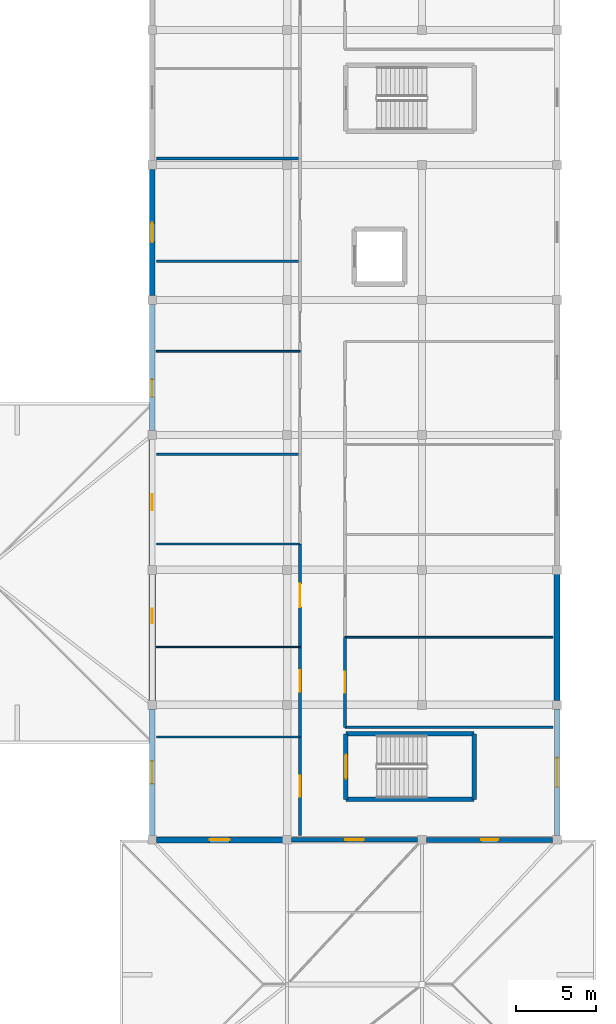
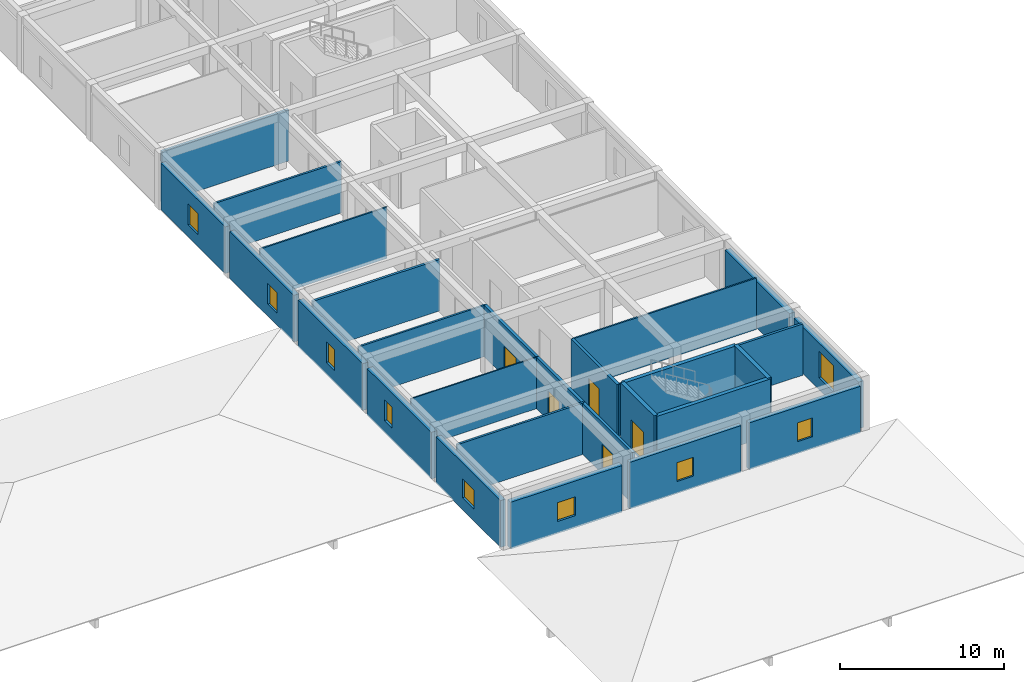
# One storey, part 24 of 42: 27 walls, 9 windows, 5 doors, 14 openings.
"""IFC4 building model written with IfcOpenShell, lengths in metres."""

from ifc_helpers import new_model, si_unit, direction, frame, frame_2d, origin, place, context, subcontext, project, spatial, rectangle, extrude, material, layer, layer_set, type_object, element, fill, save


model = new_model("IFC4")

# Units and contexts
model_context = context("Model", 3, precision=1e-05, world=origin(), true_north=direction((0.0, 1.0)))
body_context = subcontext(model_context, "Body", "Model", "MODEL_VIEW")
ifc_project = project(units=[si_unit("LENGTHUNIT", "METRE"), si_unit("AREAUNIT", "SQUARE_METRE"), si_unit("VOLUMEUNIT", "CUBIC_METRE"), si_unit("PLANEANGLEUNIT", "RADIAN"), si_unit("MASSUNIT", "GRAM", prefix="KILO")], contexts=[model_context])

# Site, building, storey
site_placement = place(None, origin())
site = spatial("IfcSite", under=ifc_project, at=site_placement, CompositionType="ELEMENT")
building_placement = place(site_placement, origin())
building = spatial("IfcBuilding", under=site, at=building_placement, Name="Varncliffe General Hospital", CompositionType="ELEMENT")
storey_placement = place(building_placement, frame((0.0, 0.0, 20.39990234375)))
storey = spatial("IfcBuildingStorey", under=building, at=storey_placement, Name="L04", CompositionType="ELEMENT", Elevation=20.39990234375)

# Wall, opening, window
ifc_material_1 = material(Name="Precast concrete C40/50 with insulated cream lime-cement stucco", Category="concrete")
ifc_layer_1 = layer(ifc_material_1, 0.31005859375)
ifc_layer_set_1 = layer_set([ifc_layer_1], Name="Precast concrete C40/50 with insulated cream lime-cement stucco")
wall_type_1 = type_object("IfcWallType", Name="Exterior Insulated Stucco Wall EW20 (310mm)", PredefinedType="SOLIDWALL", material=ifc_layer_set_1)
wall_1_placement = place(storey_placement, frame((176.126953125, 15.60009765625, 0.0), z_axis=(0.0, 0.0, 1.0), x_axis=(-1.0, 0.0, 0.0)))
wall_1 = element("IfcWall", 1, at=wall_1_placement, inside=storey, type_object=wall_type_1, Name="L04 Exterior Stucco Wall EW20-305", PredefinedType="SOLIDWALL", context=body_context, shape_type="SweptSolid", body=[
    extrude(rectangle(XDim=7.85400390625, YDim=0.31005859375, at=frame_2d((3.927001953125, 0.0))), origin(), (0.0, 0.0, 1.0), 3.47998046875),
])
opening_1_placement = place(wall_1_placement, frame((3.402099609375, 0.0, 0.89990234375)))
opening_1 = element("IfcOpeningElement", 2, at=opening_1_placement, cuts=wall_1, Name="Opening WN68", PredefinedType="OPENING", context=body_context, shape_type="SweptSolid", body=[
    extrude(rectangle(XDim=1.050048828125, YDim=1.39990234375, at=frame_2d((0.52490234375, 0.699951171875))), frame((0.0, 0.1650390625, 0.0), z_axis=(0.0, -1.0, 0.0), x_axis=(1.0, 0.0, 0.0)), (0.0, 0.0, 1.0), 0.330078125),
])
ifc_material_2 = material(Name="Triple low-E argon insulated vision glazing", Category="glass")
window_type_1 = type_object("IfcWindowType", Name="Triple-Glazed Hospital Window WN68 (1050x1400)", PartitioningType="SINGLE_PANEL", PredefinedType="WINDOW", material=ifc_material_2)
window_1_placement = place(opening_1_placement, origin())
window_1 = element("IfcWindow", 3, at=window_1_placement, inside=storey, type_object=window_type_1, Name="L04 Hospital Window WN68-223", OverallHeight=1.39990234375, OverallWidth=1.050048828125, PartitioningType="SINGLE_PANEL", PredefinedType="WINDOW", context=body_context, shape_type="SweptSolid", body=[
    extrude(rectangle(XDim=1.050048828125, YDim=1.39990234375, at=frame_2d((0.52490234375, 0.699951171875))), frame((0.0, 0.030029296875, 0.0), z_axis=(0.0, -1.0, 0.0), x_axis=(1.0, 0.0, 0.0)), (0.0, 0.0, 1.0), 0.06005859375),
])
fill(opening_1, window_1)

ifc_layer_2 = layer(ifc_material_1, 0.3798828125)
ifc_layer_set_2 = layer_set([ifc_layer_2], Name="Precast concrete C40/50 with insulated cream lime-cement stucco")
wall_type_2 = type_object("IfcWallType", Name="Exterior Insulated Stucco Wall EW26 (380mm)", PredefinedType="SOLIDWALL", material=ifc_layer_set_2)
wall_2_placement = place(storey_placement, frame((159.326904296875, 15.60009765625, 0.0), z_axis=(0.0, 0.0, 1.0), x_axis=(-1.0, 0.0, 0.0)))
wall_2 = element("IfcWall", 4, at=wall_2_placement, inside=storey, type_object=wall_type_2, Name="L04 Exterior Stucco Wall EW26-307", PredefinedType="SOLIDWALL", context=body_context, shape_type="SweptSolid", body=[
    extrude(rectangle(XDim=7.85400390625, YDim=0.3798828125, at=frame_2d((3.927001953125, 0.0))), origin(), (0.0, 0.0, 1.0), 3.47998046875),
])
opening_2_placement = place(wall_2_placement, frame((3.302001953125, 0.0, 0.89990234375)))
opening_2 = element("IfcOpeningElement", 5, at=opening_2_placement, cuts=wall_2, Name="Opening WN43", PredefinedType="OPENING", context=body_context, shape_type="SweptSolid", body=[
    extrude(rectangle(XDim=1.25, YDim=1.39990234375, at=frame_2d((0.625, 0.699951171875))), frame((0.0, 0.199951171875, 0.0), z_axis=(0.0, -1.0, 0.0), x_axis=(1.0, 0.0, 0.0)), (0.0, 0.0, 1.0), 0.39990234375),
])
window_type_2 = type_object("IfcWindowType", Name="Triple-Glazed Hospital Window WN43 (1250x1400)", PartitioningType="SINGLE_PANEL", PredefinedType="WINDOW", material=ifc_material_2)
window_2_placement = place(opening_2_placement, origin())
window_2 = element("IfcWindow", 6, at=window_2_placement, inside=storey, type_object=window_type_2, Name="L04 Hospital Window WN43-225", OverallHeight=1.39990234375, OverallWidth=1.25, PartitioningType="SINGLE_PANEL", PredefinedType="WINDOW", context=body_context, shape_type="SweptSolid", body=[
    extrude(rectangle(XDim=1.25, YDim=1.39990234375, at=frame_2d((0.625, 0.699951171875))), frame((0.0, 0.030029296875, 0.0), z_axis=(0.0, -1.0, 0.0), x_axis=(1.0, 0.0, 0.0)), (0.0, 0.0, 1.0), 0.06005859375),
])
fill(opening_2, window_2)

wall_3_placement = place(storey_placement, frame((151.199951171875, 32.673095703125, 0.0), z_axis=(0.0, 0.0, 1.0), x_axis=(0.0, 1.0, 0.0)))
wall_3 = element("IfcWall", 7, at=wall_3_placement, inside=storey, type_object=wall_type_2, Name="L04 Exterior Stucco Wall EW26-310", PredefinedType="SOLIDWALL", context=body_context, shape_type="SweptSolid", body=[
    extrude(rectangle(XDim=7.85400390625, YDim=0.3798828125, at=frame_2d((3.927001953125, 0.0))), origin(), (0.0, 0.0, 1.0), 3.47998046875),
])
opening_3_placement = place(wall_3_placement, frame((3.427001953125, 0.0, 0.89990234375)))
opening_3 = element("IfcOpeningElement", 8, at=opening_3_placement, cuts=wall_3, Name="Opening WN21", PredefinedType="OPENING", context=body_context, shape_type="SweptSolid", body=[
    extrude(rectangle(XDim=1.0, YDim=1.550048828125, at=frame_2d((0.5, 0.77490234375))), frame((0.0, 0.199951171875, 0.0), z_axis=(0.0, -1.0, 0.0), x_axis=(1.0, 0.0, 0.0)), (0.0, 0.0, 1.0), 0.39990234375),
])
window_type_3 = type_object("IfcWindowType", Name="Triple-Glazed Hospital Window WN21 (1000x1550)", PartitioningType="SINGLE_PANEL", PredefinedType="WINDOW", material=ifc_material_2)
window_3_placement = place(opening_3_placement, origin())
window_3 = element("IfcWindow", 9, at=window_3_placement, inside=storey, type_object=window_type_3, Name="L04 Hospital Window WN21-228", OverallHeight=1.550048828125, OverallWidth=1.0, PartitioningType="SINGLE_PANEL", PredefinedType="WINDOW", context=body_context, shape_type="SweptSolid", body=[
    extrude(rectangle(XDim=1.0, YDim=1.550048828125, at=frame_2d((0.5, 0.77490234375))), frame((0.0, 0.030029296875, 0.0), z_axis=(0.0, -1.0, 0.0), x_axis=(1.0, 0.0, 0.0)), (0.0, 0.0, 1.0), 0.06005859375),
])
fill(opening_3, window_3)

# Wall
wall_4_placement = place(storey_placement, frame((176.39990234375, 32.126953125, 0.0), z_axis=(0.0, 0.0, 1.0), x_axis=(0.0, -1.0, 0.0)))
element("IfcWall", 10, at=wall_4_placement, inside=storey, type_object=wall_type_2, Name="L04 Exterior Stucco Wall EW26-387", PredefinedType="SOLIDWALL", context=body_context, shape_type="SweptSolid", body=[
    extrude(rectangle(XDim=7.85400390625, YDim=0.3798828125, at=frame_2d((3.927001953125, 0.0))), origin(), (0.0, 0.0, 1.0), 3.47998046875),
])

# Wall, opening, window
ifc_layer_3 = layer(ifc_material_1, 0.2900390625)
ifc_layer_set_3 = layer_set([ifc_layer_3], Name="Precast concrete C40/50 with insulated cream lime-cement stucco")
wall_type_3 = type_object("IfcWallType", Name="Exterior Insulated Stucco Wall EW31 (290mm)", PredefinedType="SOLIDWALL", material=ifc_layer_set_3)
wall_5_placement = place(storey_placement, frame((167.72705078125, 15.60009765625, 0.0), z_axis=(0.0, 0.0, 1.0), x_axis=(-1.0, 0.0, 0.0)))
wall_5 = element("IfcWall", 11, at=wall_5_placement, inside=storey, type_object=wall_type_3, Name="L04 Exterior Stucco Wall EW31-306", PredefinedType="SOLIDWALL", context=body_context, shape_type="SweptSolid", body=[
    extrude(rectangle(XDim=7.85400390625, YDim=0.2900390625, at=frame_2d((3.927001953125, 0.0))), origin(), (0.0, 0.0, 1.0), 3.47998046875),
])
opening_4_placement = place(wall_5_placement, frame((3.35205078125, 0.0, 0.89990234375)))
opening_4 = element("IfcOpeningElement", 12, at=opening_4_placement, cuts=wall_5, Name="Opening WN62", PredefinedType="OPENING", context=body_context, shape_type="SweptSolid", body=[
    extrude(rectangle(XDim=1.14990234375, YDim=1.39990234375, at=frame_2d((0.574951171875, 0.699951171875))), frame((0.0, 0.155029296875, 0.0), z_axis=(0.0, -1.0, 0.0), x_axis=(1.0, 0.0, 0.0)), (0.0, 0.0, 1.0), 0.31005859375),
])
window_type_4 = type_object("IfcWindowType", Name="Triple-Glazed Hospital Window WN62 (1150x1400)", PartitioningType="SINGLE_PANEL", PredefinedType="WINDOW", material=ifc_material_2)
window_4_placement = place(opening_4_placement, origin())
window_4 = element("IfcWindow", 13, at=window_4_placement, inside=storey, type_object=window_type_4, Name="L04 Hospital Window WN62-224", OverallHeight=1.39990234375, OverallWidth=1.14990234375, PartitioningType="SINGLE_PANEL", PredefinedType="WINDOW", context=body_context, shape_type="SweptSolid", body=[
    extrude(rectangle(XDim=1.14990234375, YDim=1.39990234375, at=frame_2d((0.574951171875, 0.699951171875))), frame((0.0, 0.030029296875, 0.0), z_axis=(0.0, -1.0, 0.0), x_axis=(1.0, 0.0, 0.0)), (0.0, 0.0, 1.0), 0.06005859375),
])
fill(opening_4, window_4)

ifc_layer_4 = layer(ifc_material_1, 0.330078125)
ifc_layer_set_4 = layer_set([ifc_layer_4], Name="Precast concrete C40/50 with insulated cream lime-cement stucco")
wall_type_4 = type_object("IfcWallType", Name="Exterior Insulated Stucco Wall EW33 (330mm)", PredefinedType="SOLIDWALL", material=ifc_layer_set_4)
wall_6_placement = place(storey_placement, frame((151.199951171875, 49.472900390625, 0.0), z_axis=(0.0, 0.0, 1.0), x_axis=(0.0, 1.0, 0.0)))
wall_6 = element("IfcWall", 14, at=wall_6_placement, inside=storey, type_object=wall_type_4, Name="L04 Exterior Stucco Wall EW33-312", PredefinedType="SOLIDWALL", context=body_context, shape_type="SweptSolid", body=[
    extrude(rectangle(XDim=7.85400390625, YDim=0.330078125, at=frame_2d((3.927001953125, 0.0))), origin(), (0.0, 0.0, 1.0), 3.47998046875),
])
opening_5_placement = place(wall_6_placement, frame((3.326904296875, 0.0, 0.89990234375)))
opening_5 = element("IfcOpeningElement", 15, at=opening_5_placement, cuts=wall_6, Name="Opening WN33", PredefinedType="OPENING", context=body_context, shape_type="SweptSolid", body=[
    extrude(rectangle(XDim=1.199951171875, YDim=1.550048828125, at=frame_2d((0.60009765625, 0.77490234375))), frame((0.0, 0.175048828125, 0.0), z_axis=(0.0, -1.0, 0.0), x_axis=(1.0, 0.0, 0.0)), (0.0, 0.0, 1.0), 0.35009765625),
])
window_type_5 = type_object("IfcWindowType", Name="Triple-Glazed Hospital Window WN33 (1200x1550)", PartitioningType="SINGLE_PANEL", PredefinedType="WINDOW", material=ifc_material_2)
window_5_placement = place(opening_5_placement, origin())
window_5 = element("IfcWindow", 16, at=window_5_placement, inside=storey, type_object=window_type_5, Name="L04 Hospital Window WN33-230", OverallHeight=1.550048828125, OverallWidth=1.199951171875, PartitioningType="SINGLE_PANEL", PredefinedType="WINDOW", context=body_context, shape_type="SweptSolid", body=[
    extrude(rectangle(XDim=1.199951171875, YDim=1.550048828125, at=frame_2d((0.60009765625, 0.77490234375))), frame((0.0, 0.030029296875, 0.0), z_axis=(0.0, -1.0, 0.0), x_axis=(1.0, 0.0, 0.0)), (0.0, 0.0, 1.0), 0.06005859375),
])
fill(opening_5, window_5)

ifc_layer_5 = layer(ifc_material_1, 0.35009765625)
ifc_layer_set_5 = layer_set([ifc_layer_5], Name="Precast concrete C40/50 with insulated cream lime-cement stucco")
wall_type_5 = type_object("IfcWallType", Name="Exterior Insulated Stucco Wall EW37 (350mm)", PredefinedType="SOLIDWALL", material=ifc_layer_set_5)
wall_7_placement = place(storey_placement, frame((151.199951171875, 15.873046875, 0.0), z_axis=(0.0, 0.0, 1.0), x_axis=(0.0, 1.0, 0.0)))
wall_7 = element("IfcWall", 17, at=wall_7_placement, inside=storey, type_object=wall_type_5, Name="L04 Exterior Stucco Wall EW37-308", PredefinedType="SOLIDWALL", context=body_context, shape_type="SweptSolid", body=[
    extrude(rectangle(XDim=7.85400390625, YDim=0.35009765625, at=frame_2d((3.927001953125, 0.0))), origin(), (0.0, 0.0, 1.0), 3.47998046875),
])
opening_6_placement = place(wall_7_placement, frame((3.22705078125, 0.0, 0.89990234375)))
opening_6 = element("IfcOpeningElement", 18, at=opening_6_placement, cuts=wall_7, Name="Opening WN76", PredefinedType="OPENING", context=body_context, shape_type="SweptSolid", body=[
    extrude(rectangle(XDim=1.39990234375, YDim=1.39990234375, at=frame_2d((0.699951171875, 0.699951171875))), frame((0.0, 0.18505859375, 0.0), z_axis=(0.0, -1.0, 0.0), x_axis=(1.0, 0.0, 0.0)), (0.0, 0.0, 1.0), 0.3701171875),
])
window_type_6 = type_object("IfcWindowType", Name="Triple-Glazed Hospital Window WN76 (1400x1400)", PartitioningType="SINGLE_PANEL", PredefinedType="WINDOW", material=ifc_material_2)
window_6_placement = place(opening_6_placement, origin())
window_6 = element("IfcWindow", 19, at=window_6_placement, inside=storey, type_object=window_type_6, Name="L04 Hospital Window WN76-226", OverallHeight=1.39990234375, OverallWidth=1.39990234375, PartitioningType="SINGLE_PANEL", PredefinedType="WINDOW", context=body_context, shape_type="SweptSolid", body=[
    extrude(rectangle(XDim=1.39990234375, YDim=1.39990234375, at=frame_2d((0.699951171875, 0.699951171875))), frame((0.0, 0.030029296875, 0.0), z_axis=(0.0, -1.0, 0.0), x_axis=(1.0, 0.0, 0.0)), (0.0, 0.0, 1.0), 0.06005859375),
])
fill(opening_6, window_6)

wall_8_placement = place(storey_placement, frame((151.199951171875, 41.072998046875, 0.0), z_axis=(0.0, 0.0, 1.0), x_axis=(0.0, 1.0, 0.0)))
wall_8 = element("IfcWall", 20, at=wall_8_placement, inside=storey, type_object=wall_type_5, Name="L04 Exterior Stucco Wall EW37-311", PredefinedType="SOLIDWALL", context=body_context, shape_type="SweptSolid", body=[
    extrude(rectangle(XDim=7.85400390625, YDim=0.35009765625, at=frame_2d((3.927001953125, 0.0))), origin(), (0.0, 0.0, 1.0), 3.47998046875),
])
opening_7_placement = place(wall_8_placement, frame((2.089111328125, 0.0, 0.89990234375)))
opening_7 = element("IfcOpeningElement", 21, at=opening_7_placement, cuts=wall_8, Name="Opening WN69", PredefinedType="OPENING", context=body_context, shape_type="SweptSolid", body=[
    extrude(rectangle(XDim=1.10009765625, YDim=1.550048828125, at=frame_2d((0.550048828125, 0.77490234375))), frame((0.0, 0.18505859375, 0.0), z_axis=(0.0, -1.0, 0.0), x_axis=(1.0, 0.0, 0.0)), (0.0, 0.0, 1.0), 0.3701171875),
])
window_type_7 = type_object("IfcWindowType", Name="Triple-Glazed Hospital Window WN69 (1100x1550)", PartitioningType="SINGLE_PANEL", PredefinedType="WINDOW", material=ifc_material_2)
window_7_placement = place(opening_7_placement, origin())
window_7 = element("IfcWindow", 22, at=window_7_placement, inside=storey, type_object=window_type_7, Name="L04 Hospital Window WN69-229", OverallHeight=1.550048828125, OverallWidth=1.10009765625, PartitioningType="SINGLE_PANEL", PredefinedType="WINDOW", context=body_context, shape_type="SweptSolid", body=[
    extrude(rectangle(XDim=1.10009765625, YDim=1.550048828125, at=frame_2d((0.550048828125, 0.77490234375))), frame((0.0, 0.030029296875, 0.0), z_axis=(0.0, -1.0, 0.0), x_axis=(1.0, 0.0, 0.0)), (0.0, 0.0, 1.0), 0.06005859375),
])
fill(opening_7, window_7)

wall_9_placement = place(storey_placement, frame((176.39990234375, 23.72705078125, 0.0), z_axis=(0.0, 0.0, 1.0), x_axis=(0.0, -1.0, 0.0)))
wall_9 = element("IfcWall", 23, at=wall_9_placement, inside=storey, type_object=wall_type_5, Name="L04 Exterior Stucco Wall EW37-388", PredefinedType="SOLIDWALL", context=body_context, shape_type="SweptSolid", body=[
    extrude(rectangle(XDim=7.85400390625, YDim=0.35009765625, at=frame_2d((3.927001953125, 0.0))), origin(), (0.0, 0.0, 1.0), 3.47998046875),
])
opening_8_placement = place(wall_9_placement, frame((3.027099609375, 0.0, 0.89990234375)))
opening_8 = element("IfcOpeningElement", 24, at=opening_8_placement, cuts=wall_9, Name="Opening WN78", PredefinedType="OPENING", context=body_context, shape_type="SweptSolid", body=[
    extrude(rectangle(XDim=1.800048828125, YDim=1.949951171875, at=frame_2d((0.89990234375, 0.97509765625))), frame((0.0, 0.18505859375, 0.0), z_axis=(0.0, -1.0, 0.0), x_axis=(1.0, 0.0, 0.0)), (0.0, 0.0, 1.0), 0.3701171875),
])
window_type_8 = type_object("IfcWindowType", Name="Triple-Glazed Hospital Window WN78 (1800x1950)", PartitioningType="DOUBLE_PANEL_VERTICAL", PredefinedType="WINDOW", material=ifc_material_2)
window_8_placement = place(opening_8_placement, origin())
window_8 = element("IfcWindow", 25, at=window_8_placement, inside=storey, type_object=window_type_8, Name="L04 Hospital Window WN78-292", OverallHeight=1.949951171875, OverallWidth=1.800048828125, PartitioningType="DOUBLE_PANEL_VERTICAL", PredefinedType="WINDOW", context=body_context, shape_type="SweptSolid", body=[
    extrude(rectangle(XDim=1.800048828125, YDim=1.949951171875, at=frame_2d((0.89990234375, 0.97509765625))), frame((0.0, 0.030029296875, 0.0), z_axis=(0.0, -1.0, 0.0), x_axis=(1.0, 0.0, 0.0)), (0.0, 0.0, 1.0), 0.06005859375),
])
fill(opening_8, window_8)

ifc_layer_6 = layer(ifc_material_1, 0.39990234375)
ifc_layer_set_6 = layer_set([ifc_layer_6], Name="Precast concrete C40/50 with insulated cream lime-cement stucco")
wall_type_6 = type_object("IfcWallType", Name="Exterior Insulated Stucco Wall EW47 (400mm)", PredefinedType="SOLIDWALL", material=ifc_layer_set_6)
wall_10_placement = place(storey_placement, frame((151.199951171875, 24.27294921875, 0.0), z_axis=(0.0, 0.0, 1.0), x_axis=(0.0, 1.0, 0.0)))
wall_10 = element("IfcWall", 26, at=wall_10_placement, inside=storey, type_object=wall_type_6, Name="L04 Exterior Stucco Wall EW47-309", PredefinedType="SOLIDWALL", context=body_context, shape_type="SweptSolid", body=[
    extrude(rectangle(XDim=7.85400390625, YDim=0.39990234375, at=frame_2d((3.927001953125, 0.0))), origin(), (0.0, 0.0, 1.0), 3.47998046875),
])
opening_9_placement = place(wall_10_placement, frame((4.808837890625, 0.0, 0.89990234375)))
opening_9 = element("IfcOpeningElement", 27, at=opening_9_placement, cuts=wall_10, Name="Opening WN45", PredefinedType="OPENING", context=body_context, shape_type="SweptSolid", body=[
    extrude(rectangle(XDim=0.89990234375, YDim=1.550048828125, at=frame_2d((0.449951171875, 0.77490234375))), frame((0.0, 0.2099609375, 0.0), z_axis=(0.0, -1.0, 0.0), x_axis=(1.0, 0.0, 0.0)), (0.0, 0.0, 1.0), 0.419921875),
])
window_type_9 = type_object("IfcWindowType", Name="Triple-Glazed Hospital Window WN45 (900x1550)", PartitioningType="SINGLE_PANEL", PredefinedType="WINDOW", material=ifc_material_2)
window_9_placement = place(opening_9_placement, origin())
window_9 = element("IfcWindow", 28, at=window_9_placement, inside=storey, type_object=window_type_9, Name="L04 Hospital Window WN45-227", OverallHeight=1.550048828125, OverallWidth=0.89990234375, PartitioningType="SINGLE_PANEL", PredefinedType="WINDOW", context=body_context, shape_type="SweptSolid", body=[
    extrude(rectangle(XDim=0.89990234375, YDim=1.550048828125, at=frame_2d((0.449951171875, 0.77490234375))), frame((0.0, 0.030029296875, 0.0), z_axis=(0.0, -1.0, 0.0), x_axis=(1.0, 0.0, 0.0)), (0.0, 0.0, 1.0), 0.06005859375),
])
fill(opening_9, window_9)

# Walls
ifc_material_3 = material(Name="Acoustic clinical gypsum stud partition assembly", Category="gypsum")
ifc_layer_7 = layer(ifc_material_3, 0.1298828125)
ifc_layer_set_7 = layer_set([ifc_layer_7], Name="Acoustic clinical gypsum stud partition assembly")
wall_type_7 = type_object("IfcWallType", Name="Interior Partitioning IW11 (130mm)", PredefinedType="PARTITIONING", material=ifc_layer_set_7)
wall_11_placement = place(storey_placement, frame((151.4599609375, 34.0, 0.0), z_axis=(0.0, 0.0, 1.0), x_axis=(1.0, 0.0, 0.0)))
element("IfcWall", 29, at=wall_11_placement, inside=storey, type_object=wall_type_7, Name="L04 Interior Partition Wall IW11-1678", PredefinedType="PARTITIONING", context=body_context, shape_type="SweptSolid", body=[
    extrude(rectangle(XDim=8.93994140625, YDim=0.1298828125, at=frame_2d((4.469970703125, 0.0))), origin(), (0.0, 0.0, 1.0), 3.820068359375),
])
ifc_layer_8 = layer(ifc_material_3, 0.169921875)
ifc_layer_set_8 = layer_set([ifc_layer_8], Name="Acoustic clinical gypsum stud partition assembly")
wall_type_8 = type_object("IfcWallType", Name="Interior Partitioning IW20 (170mm)", PredefinedType="PARTITIONING", material=ifc_layer_set_8)
wall_12_placement = place(storey_placement, frame((163.199951171875, 22.60009765625, 0.0), z_axis=(0.0, 0.0, 1.0), x_axis=(1.0, 0.0, 0.0)))
element("IfcWall", 30, at=wall_12_placement, inside=storey, type_object=wall_type_8, Name="L04 Interior Partition Wall IW20-1675", PredefinedType="PARTITIONING", context=body_context, shape_type="SweptSolid", body=[
    extrude(rectangle(XDim=12.93994140625, YDim=0.169921875, at=frame_2d((6.469970703125, 0.0))), origin(), (0.0, 0.0, 1.0), 3.820068359375),
])
for number, where, z_axis, x_axis, name in (
    (31, (151.4599609375, 39.60009765625, 0.0), (0.0, 0.0, 1.0), (1.0, 0.0, 0.0), "L04 Interior Partition Wall IW20-1680"),
    (32, (151.4599609375, 58.0, 0.0), (0.0, 0.0, 1.0), (1.0, 0.0, 0.0), "L04 Interior Partition Wall IW20-1685"),
):
    element("IfcWall", number, at=place(storey_placement, frame(where, z_axis=z_axis, x_axis=x_axis)), inside=storey, type_object=wall_type_8, Name=name, PredefinedType="PARTITIONING", context=body_context, shape_type="SweptSolid", body=[
        extrude(rectangle(XDim=8.93994140625, YDim=0.169921875, at=frame_2d((4.469970703125, 0.0))), origin(), (0.0, 0.0, 1.0), 3.820068359375),
    ])
ifc_layer_9 = layer(ifc_material_3, 0.14990234375)
ifc_layer_set_9 = layer_set([ifc_layer_9], Name="Acoustic clinical gypsum stud partition assembly")
wall_type_9 = type_object("IfcWallType", Name="Interior Partitioning IW35 (150mm)", PredefinedType="PARTITIONING", material=ifc_layer_set_9)
for number, where, z_axis, x_axis, name in (
    (33, (151.4599609375, 22.0, 0.0), (0.0, 0.0, 1.0), (1.0, 0.0, 0.0), "L04 Interior Partition Wall IW35-1674"),
    (34, (151.4599609375, 51.60009765625, 0.0), (0.0, 0.0, 1.0), (1.0, 0.0, 0.0), "L04 Interior Partition Wall IW35-1684"),
):
    element("IfcWall", number, at=place(storey_placement, frame(where, z_axis=z_axis, x_axis=x_axis)), inside=storey, type_object=wall_type_9, Name=name, PredefinedType="PARTITIONING", context=body_context, shape_type="SweptSolid", body=[
        extrude(rectangle(XDim=8.93994140625, YDim=0.14990234375, at=frame_2d((4.469970703125, 0.0))), origin(), (0.0, 0.0, 1.0), 3.820068359375),
    ])
ifc_layer_10 = layer(ifc_material_3, 0.090087890625)
ifc_layer_set_10 = layer_set([ifc_layer_10], Name="Acoustic clinical gypsum stud partition assembly")
wall_type_10 = type_object("IfcWallType", Name="Interior Partitioning IW42 (90mm)", PredefinedType="PARTITIONING", material=ifc_layer_set_10)
wall_13_placement = place(storey_placement, frame((151.4599609375, 27.60009765625, 0.0), z_axis=(0.0, 0.0, 1.0), x_axis=(1.0, 0.0, 0.0)))
element("IfcWall", 35, at=wall_13_placement, inside=storey, type_object=wall_type_10, Name="L04 Interior Partition Wall IW42-1676", PredefinedType="PARTITIONING", context=body_context, shape_type="SweptSolid", body=[
    extrude(rectangle(XDim=8.93994140625, YDim=0.090087890625, at=frame_2d((4.469970703125, 0.0))), origin(), (0.0, 0.0, 1.0), 3.820068359375),
])
ifc_layer_11 = layer(ifc_material_3, 0.110107421875)
ifc_layer_set_11 = layer_set([ifc_layer_11], Name="Acoustic clinical gypsum stud partition assembly")
wall_type_11 = type_object("IfcWallType", Name="Interior Partitioning IW65 (110mm)", PredefinedType="PARTITIONING", material=ifc_layer_set_11)
wall_14_placement = place(storey_placement, frame((163.199951171875, 28.199951171875, 0.0), z_axis=(0.0, 0.0, 1.0), x_axis=(1.0, 0.0, 0.0)))
element("IfcWall", 36, at=wall_14_placement, inside=storey, type_object=wall_type_11, Name="L04 Interior Partition Wall IW65-1677", PredefinedType="PARTITIONING", context=body_context, shape_type="SweptSolid", body=[
    extrude(rectangle(XDim=12.93994140625, YDim=0.110107421875, at=frame_2d((6.469970703125, 0.0))), origin(), (0.0, 0.0, 1.0), 3.820068359375),
])
wall_15_placement = place(storey_placement, frame((151.4599609375, 46.0, 0.0), z_axis=(0.0, 0.0, 1.0), x_axis=(1.0, 0.0, 0.0)))
element("IfcWall", 37, at=wall_15_placement, inside=storey, type_object=wall_type_11, Name="L04 Interior Partition Wall IW65-1682", PredefinedType="PARTITIONING", context=body_context, shape_type="SweptSolid", body=[
    extrude(rectangle(XDim=8.93994140625, YDim=0.110107421875, at=frame_2d((4.469970703125, 0.0))), origin(), (0.0, 0.0, 1.0), 3.820068359375),
])

# Wall, opening, door
ifc_material_4 = material(Name="Fire-rated gypsum and mineral-wool partition assembly", Category="gypsum")
ifc_layer_12 = layer(ifc_material_4, 0.199951171875)
ifc_layer_set_12 = layer_set([ifc_layer_12], Name="Fire-rated gypsum and mineral-wool partition assembly")
wall_type_12 = type_object("IfcWallType", Name="Interior Partitioning PW63 (200mm)", PredefinedType="PARTITIONING", material=ifc_layer_set_12)
wall_16_placement = place(storey_placement, frame((160.39990234375, 15.860107421875, 0.0), z_axis=(0.0, 0.0, 1.0), x_axis=(0.0, 1.0, 0.0)))
wall_16 = element("IfcWall", 38, at=wall_16_placement, inside=storey, type_object=wall_type_12, Name="L04 Interior Partition Wall PW63-1973", PredefinedType="PARTITIONING", context=body_context, shape_type="SweptSolid", body=[
    extrude(rectangle(XDim=6.139892578125, YDim=0.199951171875, at=frame_2d((3.06982421875, 0.0))), origin(), (0.0, 0.0, 1.0), 3.820068359375),
])
opening_10_placement = place(wall_16_placement, frame((2.419921875, 0.0, 0.0)))
opening_10 = element("IfcOpeningElement", 39, at=opening_10_placement, cuts=wall_16, Name="Opening DC88", PredefinedType="OPENING", context=body_context, shape_type="SweptSolid", body=[
    extrude(rectangle(XDim=1.300048828125, YDim=2.199951171875, at=frame_2d((0.64990234375, 1.10009765625))), frame((0.0, 0.10986328125, 0.0), z_axis=(0.0, -1.0, 0.0), x_axis=(1.0, 0.0, 0.0)), (0.0, 0.0, 1.0), 0.219970703125),
])
ifc_material_5 = material(Name="Fire-rated hospital steel-frame vision-panel door", Category="steel")
door_type_1 = type_object("IfcDoorType", Name="Interior Hospital Door DC88 (1300x2200)", OperationType="NOTDEFINED", PredefinedType="DOOR", material=ifc_material_5)
door_1_placement = place(opening_10_placement, origin())
door_1 = element("IfcDoor", 40, at=door_1_placement, inside=storey, type_object=door_type_1, Name="L04 Cardiology Diagnostics and Stress Echo Clinic 61 Door", OperationType="SINGLE_SWING_RIGHT", OverallHeight=2.199951171875, OverallWidth=1.300048828125, PredefinedType="DOOR", context=body_context, shape_type="SweptSolid", body=[
    extrude(rectangle(XDim=1.300048828125, YDim=2.199951171875, at=frame_2d((0.64990234375, 1.10009765625))), frame((0.0, 0.02490234375, 0.0), z_axis=(0.0, -1.0, 0.0), x_axis=(1.0, 0.0, 0.0)), (0.0, 0.0, 1.0), 0.050048828125),
])
fill(opening_10, door_1)

wall_17_placement = place(storey_placement, frame((160.39990234375, 22.0, 0.0), z_axis=(0.0, 0.0, 1.0), x_axis=(0.0, 1.0, 0.0)))
wall_17 = element("IfcWall", 41, at=wall_17_placement, inside=storey, type_object=wall_type_12, Name="L04 Interior Partition Wall PW63-1974", PredefinedType="PARTITIONING", context=body_context, shape_type="SweptSolid", body=[
    extrude(rectangle(XDim=5.60009765625, YDim=0.199951171875, at=frame_2d((2.800048828125, 0.0))), origin(), (0.0, 0.0, 1.0), 3.820068359375),
])
opening_11_placement = place(wall_17_placement, frame((2.8037109375, 0.0, 0.0)))
opening_11 = element("IfcOpeningElement", 42, at=opening_11_placement, cuts=wall_17, Name="Opening DC85", PredefinedType="OPENING", context=body_context, shape_type="SweptSolid", body=[
    extrude(rectangle(XDim=1.35009765625, YDim=2.199951171875, at=frame_2d((0.675048828125, 1.10009765625))), frame((0.0, 0.10986328125, 0.0), z_axis=(0.0, -1.0, 0.0), x_axis=(1.0, 0.0, 0.0)), (0.0, 0.0, 1.0), 0.219970703125),
])
door_type_2 = type_object("IfcDoorType", Name="Interior Hospital Door DC85 (1350x2200)", OperationType="NOTDEFINED", PredefinedType="DOOR", material=ifc_material_5)
door_2_placement = place(opening_11_placement, origin())
door_2 = element("IfcDoor", 43, at=door_2_placement, inside=storey, type_object=door_type_2, Name="L04 Neurology Outpatient Consultation Room 62 Door", OperationType="SINGLE_SWING_LEFT", OverallHeight=2.199951171875, OverallWidth=1.35009765625, PredefinedType="DOOR", context=body_context, shape_type="SweptSolid", body=[
    extrude(rectangle(XDim=1.35009765625, YDim=2.199951171875, at=frame_2d((0.675048828125, 1.10009765625))), frame((0.0, 0.02490234375, 0.0), z_axis=(0.0, -1.0, 0.0), x_axis=(1.0, 0.0, 0.0)), (0.0, 0.0, 1.0), 0.050048828125),
])
fill(opening_11, door_2)

wall_18_placement = place(storey_placement, frame((160.39990234375, 27.60009765625, 0.0), z_axis=(0.0, 0.0, 1.0), x_axis=(0.0, 1.0, 0.0)))
wall_18 = element("IfcWall", 44, at=wall_18_placement, inside=storey, type_object=wall_type_12, Name="L04 Interior Partition Wall PW63-1975", PredefinedType="PARTITIONING", context=body_context, shape_type="SweptSolid", body=[
    extrude(rectangle(XDim=6.39990234375, YDim=0.199951171875, at=frame_2d((3.199951171875, 0.0))), origin(), (0.0, 0.0, 1.0), 3.820068359375),
])
opening_12_placement = place(wall_18_placement, frame((2.47509765625, 0.0, 0.0)))
opening_12 = element("IfcOpeningElement", 45, at=opening_12_placement, cuts=wall_18, Name="Opening DC66", PredefinedType="OPENING", context=body_context, shape_type="SweptSolid", body=[
    extrude(rectangle(XDim=1.449951171875, YDim=2.25, at=frame_2d((0.72509765625, 1.125))), frame((0.0, 0.10986328125, 0.0), z_axis=(0.0, -1.0, 0.0), x_axis=(1.0, 0.0, 0.0)), (0.0, 0.0, 1.0), 0.219970703125),
])
door_type_3 = type_object("IfcDoorType", Name="Interior Hospital Door DC66 (1450x2250)", OperationType="NOTDEFINED", PredefinedType="DOOR", material=ifc_material_5)
door_3_placement = place(opening_12_placement, origin())
door_3 = element("IfcDoor", 46, at=door_3_placement, inside=storey, type_object=door_type_3, Name="L04 Cardiology Diagnostics and Stress Echo Clinic 63 Door", OperationType="SINGLE_SWING_RIGHT", OverallHeight=2.25, OverallWidth=1.449951171875, PredefinedType="DOOR", context=body_context, shape_type="SweptSolid", body=[
    extrude(rectangle(XDim=1.449951171875, YDim=2.25, at=frame_2d((0.72509765625, 1.125))), frame((0.0, 0.02490234375, 0.0), z_axis=(0.0, -1.0, 0.0), x_axis=(1.0, 0.0, 0.0)), (0.0, 0.0, 1.0), 0.050048828125),
])
fill(opening_12, door_3)

wall_19_placement = place(storey_placement, frame((163.199951171875, 22.60009765625, 0.0), z_axis=(0.0, 0.0, 1.0), x_axis=(0.0, 1.0, 0.0)))
wall_19 = element("IfcWall", 47, at=wall_19_placement, inside=storey, type_object=wall_type_12, Name="L04 Interior Partition Wall PW63-1987", PredefinedType="PARTITIONING", context=body_context, shape_type="SweptSolid", body=[
    extrude(rectangle(XDim=5.599853515625, YDim=0.199951171875, at=frame_2d((2.7998046875, 0.0))), origin(), (0.0, 0.0, 1.0), 3.820068359375),
])
opening_13_placement = place(wall_19_placement, frame((2.14990234375, 0.0, 0.0)))
opening_13 = element("IfcOpeningElement", 48, at=opening_13_placement, cuts=wall_19, Name="Opening DC88", PredefinedType="OPENING", context=body_context, shape_type="SweptSolid", body=[
    extrude(rectangle(XDim=1.300048828125, YDim=2.199951171875, at=frame_2d((0.64990234375, 1.10009765625))), frame((0.0, 0.10986328125, 0.0), z_axis=(0.0, -1.0, 0.0), x_axis=(1.0, 0.0, 0.0)), (0.0, 0.0, 1.0), 0.219970703125),
])
door_4_placement = place(opening_13_placement, frame((1.300048828125, 0.0, 0.0), z_axis=(0.0, 0.0, 1.0), x_axis=(-1.0, 0.0, 0.0)))
door_4 = element("IfcDoor", 49, at=door_4_placement, inside=storey, type_object=door_type_1, Name="L04 Neurology Outpatient Consultation Room 72 Door", OperationType="SINGLE_SWING_RIGHT", OverallHeight=2.199951171875, OverallWidth=1.300048828125, PredefinedType="DOOR", context=body_context, shape_type="SweptSolid", body=[
    extrude(rectangle(XDim=1.300048828125, YDim=2.199951171875, at=frame_2d((0.64990234375, 1.10009765625))), frame((0.0, 0.02490234375, 0.0), z_axis=(0.0, -1.0, 0.0), x_axis=(1.0, 0.0, 0.0)), (0.0, 0.0, 1.0), 0.050048828125),
])
fill(opening_13, door_4)

# Walls
ifc_material_6 = material(Name="Concrete C40/50 (CSA A23.1 40 MPa)", Category="concrete")
ifc_layer_13 = layer(ifc_material_6, 0.280029296875)
ifc_layer_set_13 = layer_set([ifc_layer_13], Name="Concrete C40/50 (CSA A23.1 40 MPa)")
wall_type_13 = type_object("IfcWallType", Name="Reinforced Concrete Core Shear Wall CW13 (280mm)", PredefinedType="SHEAR", material=ifc_layer_set_13)
wall_20_placement = place(storey_placement, frame((163.260009765625, 18.110107421875, 0.0), z_axis=(0.0, 0.0, 1.0), x_axis=(1.0, 0.0, 0.0)))
element("IfcWall", 50, at=wall_20_placement, inside=storey, type_object=wall_type_13, Name="L04 ST11 Core Shear Wall L", PredefinedType="SHEAR", context=body_context, shape_type="SweptSolid", body=[
    extrude(rectangle(XDim=7.97998046875, YDim=0.280029296875, at=frame_2d((3.989990234375, 0.0))), origin(), (0.0, 0.0, 1.0), 4.2001953125),
])
wall_21_placement = place(storey_placement, frame((171.239990234375, 18.110107421875, 0.0), z_axis=(0.0, 0.0, 1.0), x_axis=(0.0, 1.0, 0.0)))
element("IfcWall", 51, at=wall_21_placement, inside=storey, type_object=wall_type_13, Name="L04 ST11 Core Shear Wall F", PredefinedType="SHEAR", context=body_context, shape_type="SweptSolid", body=[
    extrude(rectangle(XDim=4.079833984375, YDim=0.280029296875, at=frame_2d((2.0400390625, 0.0))), origin(), (0.0, 0.0, 1.0), 4.2001953125),
])
wall_22_placement = place(storey_placement, frame((171.239990234375, 22.18994140625, 0.0), z_axis=(0.0, 0.0, 1.0), x_axis=(-1.0, 0.0, 0.0)))
element("IfcWall", 52, at=wall_22_placement, inside=storey, type_object=wall_type_13, Name="L04 ST11 Core Shear Wall R", PredefinedType="SHEAR", context=body_context, shape_type="SweptSolid", body=[
    extrude(rectangle(XDim=7.97998046875, YDim=0.280029296875, at=frame_2d((3.989990234375, 0.0))), origin(), (0.0, 0.0, 1.0), 4.2001953125),
])

# Wall, opening, door
wall_23_placement = place(storey_placement, frame((163.260009765625, 22.18994140625, 0.0), z_axis=(0.0, 0.0, 1.0), x_axis=(0.0, -1.0, 0.0)))
wall_23 = element("IfcWall", 53, at=wall_23_placement, inside=storey, type_object=wall_type_13, Name="L04 ST11 Core Shear Wall N", PredefinedType="SHEAR", context=body_context, shape_type="SweptSolid", body=[
    extrude(rectangle(XDim=4.079833984375, YDim=0.280029296875, at=frame_2d((2.0400390625, 0.0))), origin(), (0.0, 0.0, 1.0), 4.2001953125),
])
opening_14_placement = place(wall_23_placement, frame((1.2900390625, 0.0, 0.0)))
opening_14 = element("IfcOpeningElement", 54, at=opening_14_placement, cuts=wall_23, Name="Opening DF28", PredefinedType="OPENING", context=body_context, shape_type="SweptSolid", body=[
    extrude(rectangle(XDim=1.5, YDim=2.199951171875, at=frame_2d((0.75, 1.10009765625))), frame((0.0, 0.14990234375, 0.0), z_axis=(0.0, -1.0, 0.0), x_axis=(1.0, 0.0, 0.0)), (0.0, 0.0, 1.0), 0.300048828125),
])
door_type_4 = type_object("IfcDoorType", Name="Interior Hospital Door DF28 (1500x2200)", OperationType="NOTDEFINED", PredefinedType="DOOR", material=ifc_material_5)
door_5_placement = place(opening_14_placement, frame((1.5, 0.0, 0.0), z_axis=(0.0, 0.0, 1.0), x_axis=(-1.0, 0.0, 0.0)))
door_5 = element("IfcDoor", 55, at=door_5_placement, inside=storey, type_object=door_type_4, Name="L04 ST11 Protected Exit Stair Door", OperationType="SINGLE_SWING_RIGHT", OverallHeight=2.199951171875, OverallWidth=1.5, PredefinedType="DOOR", context=body_context, shape_type="SweptSolid", body=[
    extrude(rectangle(XDim=1.5, YDim=2.199951171875, at=frame_2d((0.75, 1.10009765625))), frame((0.0, 0.02490234375, 0.0), z_axis=(0.0, -1.0, 0.0), x_axis=(1.0, 0.0, 0.0)), (0.0, 0.0, 1.0), 0.050048828125),
])
fill(opening_14, door_5)

save(model, "model.ifc")
